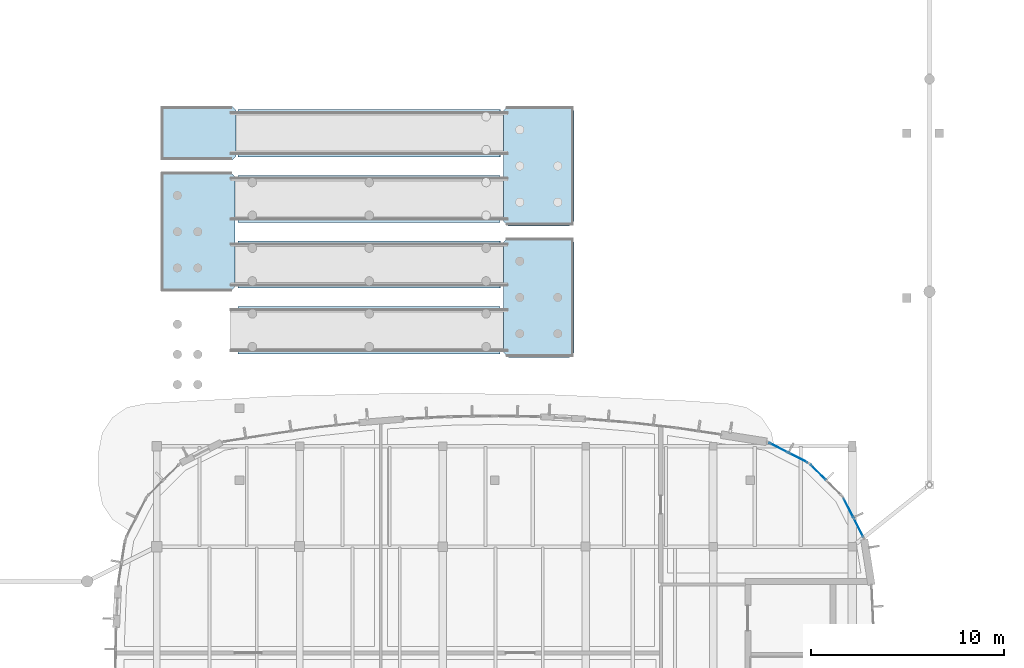
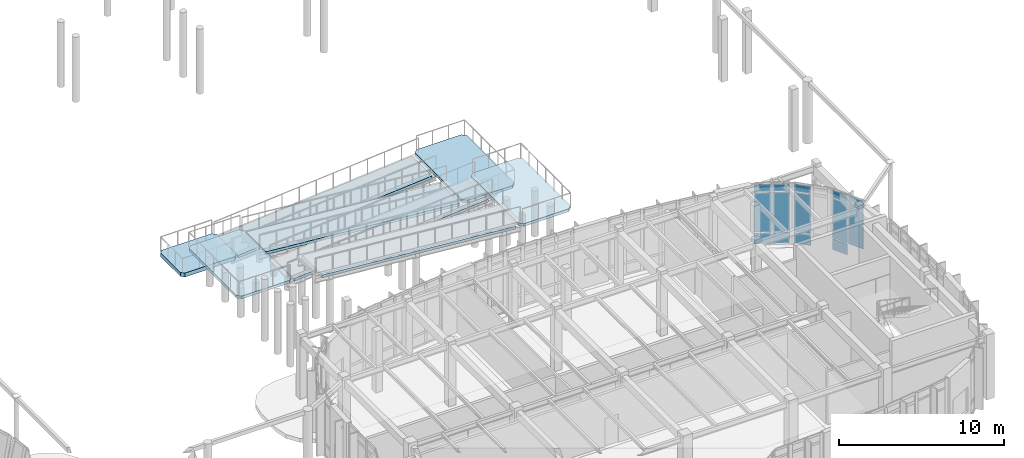
# One storey, part 73 of 120: 14 plates, 8 slabs, 3 elements without a shape of their own.
"""IFC4 building model written with IfcOpenShell, lengths in metres."""

from ifc_helpers import new_model, si_unit, direction, frame, origin, origin_2d, place, context, subcontext, project, spatial, polyline, rectangle, outline, extrude, material, layer, layer_set, type_object, element, aggregate, save


model = new_model("IFC4")

# Units and contexts
model_context = context("Model", 3, precision=1e-05, world=origin(), true_north=direction((0.0, 1.0)))
body_context = subcontext(model_context, "Body", "Model", "MODEL_VIEW")
ifc_project = project(units=[si_unit("LENGTHUNIT", "METRE"), si_unit("AREAUNIT", "SQUARE_METRE"), si_unit("VOLUMEUNIT", "CUBIC_METRE"), si_unit("PLANEANGLEUNIT", "RADIAN"), si_unit("MASSUNIT", "GRAM", prefix="KILO")], contexts=[model_context])

# Site, building, storey
site_placement = place(None, origin())
site = spatial("IfcSite", under=ifc_project, at=site_placement, CompositionType="ELEMENT")
building_placement = place(site_placement, origin())
building = spatial("IfcBuilding", under=site, at=building_placement, Name="Corveleigh Park Community Centre", CompositionType="ELEMENT")
storey_placement = place(building_placement, origin())
storey = spatial("IfcBuildingStorey", under=building, at=storey_placement, Name="L00", CompositionType="ELEMENT", Elevation=0.0)

# Curtain wall, plates
ifc_material_1 = material(Name="Anodised aluminium 6063-T6", Category="aluminium")
curtain_wall_type = type_object("IfcCurtainWallType", Name="CW-SYS-V3-L00", PredefinedType="NOTDEFINED", material=ifc_material_1)
curtain_wall_1_placement = place(storey_placement, origin())
curtain_wall_1 = element("IfcCurtainWall", 1, at=curtain_wall_1_placement, inside=storey, type_object=curtain_wall_type, Name="V3 L00 Curtain Wall 88", PredefinedType="NOTDEFINED")
ifc_material_2 = material(Name="Low-E double glazing", Category="glass")
ifc_layer_1 = layer(ifc_material_2, 0.028076171875, Name="Low-E double glazing", Category="glass")
ifc_layer_set_1 = layer_set([ifc_layer_1], Name="Low-E double glazing")
plate_type_1 = type_object("IfcPlateType", Name="CWP-GLZ-28", PredefinedType="CURTAIN_PANEL", material=ifc_layer_set_1)
plate_1_placement = place(storey_placement, frame((107.803955078125, 28.8076171875, 0.070068359375), z_axis=(0.0, 0.0, 1.0), x_axis=(0.45413480079, -0.890932984411, 0.0)))
plate_1 = element("IfcPlate", 2, at=plate_1_placement, type_object=plate_type_1, Name="CW05 panel 1.1", PredefinedType="CURTAIN_PANEL", context=body_context, shape_type="SweptSolid", body=[
    extrude(rectangle(XDim=1.070068359375, YDim=0.028076171875, at=origin_2d()), origin(), (0.0, 0.0, 1.0), 0.794921875),
])
plate_2_placement = place(storey_placement, frame((107.803955078125, 28.8076171875, 0.93505859375), z_axis=(0.0, 0.0, 1.0), x_axis=(0.45413480079, -0.890932984411, 0.0)))
plate_2 = element("IfcPlate", 3, at=plate_2_placement, type_object=plate_type_1, Name="CW05 panel 1.2", PredefinedType="CURTAIN_PANEL", context=body_context, shape_type="SweptSolid", body=[
    extrude(rectangle(XDim=1.070068359375, YDim=0.028076171875, at=origin_2d()), origin(), (0.0, 0.0, 1.0), 2.9169921875),
])
plate_3_placement = place(storey_placement, frame((107.803955078125, 28.8076171875, 3.922119140625), z_axis=(0.0, 0.0, 1.0), x_axis=(0.45413480079, -0.890932984411, 0.0)))
plate_3 = element("IfcPlate", 4, at=plate_3_placement, type_object=plate_type_1, Name="CW05 panel 1.3", PredefinedType="CURTAIN_PANEL", context=body_context, shape_type="SweptSolid", body=[
    extrude(rectangle(XDim=1.070068359375, YDim=0.028076171875, at=origin_2d()), origin(), (0.0, 0.0, 1.0), 0.544921875),
])
plate_4_placement = place(storey_placement, frame((108.323974609375, 27.787353515625, 0.93505859375), z_axis=(0.0, 0.0, 1.0), x_axis=(0.45413480079, -0.890932984411, 0.0)))
plate_4 = element("IfcPlate", 5, at=plate_4_placement, type_object=plate_type_1, Name="CW05 panel 2.2", PredefinedType="CURTAIN_PANEL", context=body_context, shape_type="SweptSolid", body=[
    extrude(rectangle(XDim=1.070068359375, YDim=0.028076171875, at=origin_2d()), origin(), (0.0, 0.0, 1.0), 2.9169921875),
])
plate_5_placement = place(storey_placement, frame((108.323974609375, 27.787353515625, 3.922119140625), z_axis=(0.0, 0.0, 1.0), x_axis=(0.45413480079, -0.890932984411, 0.0)))
plate_5 = element("IfcPlate", 6, at=plate_5_placement, type_object=plate_type_1, Name="CW05 panel 2.3", PredefinedType="CURTAIN_PANEL", context=body_context, shape_type="SweptSolid", body=[
    extrude(rectangle(XDim=1.070068359375, YDim=0.028076171875, at=origin_2d()), origin(), (0.0, 0.0, 1.0), 0.544921875),
])
aggregate(curtain_wall_1, [plate_1, plate_2, plate_3, plate_4, plate_5])

curtain_wall_2_placement = place(storey_placement, origin())
curtain_wall_2 = element("IfcCurtainWall", 7, at=curtain_wall_2_placement, inside=storey, type_object=curtain_wall_type, Name="V3 L00 Curtain Wall 89", PredefinedType="NOTDEFINED")
ifc_layer_2 = layer(ifc_material_2, 0.031982421875, Name="Low-E double glazing", Category="glass")
ifc_layer_set_2 = layer_set([ifc_layer_2], Name="Low-E double glazing")
plate_type_2 = type_object("IfcPlateType", Name="CWP-GLZ-32", PredefinedType="CURTAIN_PANEL", material=ifc_layer_set_2)
plate_6_placement = place(storey_placement, frame((106.243896484375, 30.651123046875, 0.074951171875), z_axis=(0.0, 0.0, 1.0), x_axis=(0.707106781187, -0.707106781187, 0.0)))
plate_6 = element("IfcPlate", 8, at=plate_6_placement, type_object=plate_type_2, Name="CW05 panel 1.1", PredefinedType="CURTAIN_PANEL", context=body_context, shape_type="SweptSolid", body=[
    extrude(rectangle(XDim=1.0615234375, YDim=0.031982421875, at=origin_2d()), origin(), (0.0, 0.0, 1.0), 0.78759765625),
])
plate_7_placement = place(storey_placement, frame((106.243896484375, 30.651123046875, 0.9375), z_axis=(0.0, 0.0, 1.0), x_axis=(0.707106781187, -0.707106781187, 0.0)))
plate_7 = element("IfcPlate", 9, at=plate_7_placement, type_object=plate_type_2, Name="CW05 panel 1.2", PredefinedType="CURTAIN_PANEL", context=body_context, shape_type="SweptSolid", body=[
    extrude(rectangle(XDim=1.0615234375, YDim=0.031982421875, at=origin_2d()), origin(), (0.0, 0.0, 1.0), 2.912109375),
])
plate_8_placement = place(storey_placement, frame((106.243896484375, 30.651123046875, 3.924560546875), z_axis=(0.0, 0.0, 1.0), x_axis=(0.707106781187, -0.707106781187, 0.0)))
plate_8 = element("IfcPlate", 10, at=plate_8_placement, type_object=plate_type_2, Name="CW05 panel 1.3", PredefinedType="CURTAIN_PANEL", context=body_context, shape_type="SweptSolid", body=[
    extrude(rectangle(XDim=1.0615234375, YDim=0.031982421875, at=origin_2d()), origin(), (0.0, 0.0, 1.0), 0.53759765625),
])
aggregate(curtain_wall_2, [plate_6, plate_7, plate_8])

curtain_wall_3_placement = place(storey_placement, origin())
curtain_wall_3 = element("IfcCurtainWall", 11, at=curtain_wall_3_placement, inside=storey, type_object=curtain_wall_type, Name="V3 L00 Curtain Wall 90", PredefinedType="NOTDEFINED")
plate_9_placement = place(storey_placement, frame((104.189697265625, 31.9228515625, 0.080078125), z_axis=(0.0, 0.0, 1.0), x_axis=(0.890932984411, -0.45413480079, 0.0)))
plate_9 = element("IfcPlate", 12, at=plate_9_placement, type_object=plate_type_2, Name="CW05 panel 1.1", PredefinedType="CURTAIN_PANEL", context=body_context, shape_type="SweptSolid", body=[
    extrude(rectangle(XDim=1.054931640625, YDim=0.031982421875, at=origin_2d()), origin(), (0.0, 0.0, 1.0), 0.780029296875),
])
plate_10_placement = place(storey_placement, frame((104.189697265625, 31.9228515625, 0.93994140625), z_axis=(0.0, 0.0, 1.0), x_axis=(0.890932984411, -0.45413480079, 0.0)))
plate_10 = element("IfcPlate", 13, at=plate_10_placement, type_object=plate_type_2, Name="CW05 panel 1.2", PredefinedType="CURTAIN_PANEL", context=body_context, shape_type="SweptSolid", body=[
    extrude(rectangle(XDim=1.054931640625, YDim=0.031982421875, at=origin_2d()), origin(), (0.0, 0.0, 1.0), 2.906982421875),
])
plate_11_placement = place(storey_placement, frame((104.189697265625, 31.9228515625, 3.9267578125), z_axis=(0.0, 0.0, 1.0), x_axis=(0.890932984411, -0.45413480079, 0.0)))
plate_11 = element("IfcPlate", 14, at=plate_11_placement, type_object=plate_type_2, Name="CW05 panel 1.3", PredefinedType="CURTAIN_PANEL", context=body_context, shape_type="SweptSolid", body=[
    extrude(rectangle(XDim=1.054931640625, YDim=0.031982421875, at=origin_2d()), origin(), (0.0, 0.0, 1.0), 0.530029296875),
])
plate_12_placement = place(storey_placement, frame((105.205322265625, 31.405029296875, 0.080078125), z_axis=(0.0, 0.0, 1.0), x_axis=(0.890932984411, -0.45413480079, 0.0)))
plate_12 = element("IfcPlate", 15, at=plate_12_placement, type_object=plate_type_2, Name="CW05 panel 2.1", PredefinedType="CURTAIN_PANEL", context=body_context, shape_type="SweptSolid", body=[
    extrude(rectangle(XDim=1.054931640625, YDim=0.031982421875, at=origin_2d()), origin(), (0.0, 0.0, 1.0), 0.780029296875),
])
plate_13_placement = place(storey_placement, frame((105.205322265625, 31.405029296875, 0.93994140625), z_axis=(0.0, 0.0, 1.0), x_axis=(0.890932984411, -0.45413480079, 0.0)))
plate_13 = element("IfcPlate", 16, at=plate_13_placement, type_object=plate_type_2, Name="CW05 panel 2.2", PredefinedType="CURTAIN_PANEL", context=body_context, shape_type="SweptSolid", body=[
    extrude(rectangle(XDim=1.054931640625, YDim=0.031982421875, at=origin_2d()), origin(), (0.0, 0.0, 1.0), 2.906982421875),
])
plate_14_placement = place(storey_placement, frame((105.205322265625, 31.405029296875, 3.9267578125), z_axis=(0.0, 0.0, 1.0), x_axis=(0.890932984411, -0.45413480079, 0.0)))
plate_14 = element("IfcPlate", 17, at=plate_14_placement, type_object=plate_type_2, Name="CW05 panel 2.3", PredefinedType="CURTAIN_PANEL", context=body_context, shape_type="SweptSolid", body=[
    extrude(rectangle(XDim=1.054931640625, YDim=0.031982421875, at=origin_2d()), origin(), (0.0, 0.0, 1.0), 0.530029296875),
])
aggregate(curtain_wall_3, [plate_9, plate_10, plate_11, plate_12, plate_13, plate_14])

# Slabs
ifc_material_3 = material(Name="Concrete C32/40", Category="concrete")
ifc_layer_3 = layer(ifc_material_3, 0.2900390625, Name="Concrete C32/40", Category="concrete")
ifc_layer_set_3 = layer_set([ifc_layer_3], Name="Concrete C32/40")
slab_type_1 = type_object("IfcSlabType", Name="SLB-APR-290", PredefinedType="FLOOR", material=ifc_layer_set_3)
slab_1_placement = place(storey_placement, frame((0.0, 0.0, -0.2900390625)))
element("IfcSlab", 18, at=slab_1_placement, inside=storey, type_object=slab_type_1, Name="Promenade Ramp Ground Start Pad", PredefinedType="FLOOR", context=body_context, shape_type="SweptSolid", body=[
    extrude(outline(polyline([(72.199951171875, 47.0), (72.199951171875, 49.39990234375), (72.39990234375, 49.60009765625), (75.89990234375, 49.60009765625), (76.10009765625, 49.39990234375), (76.10009765625, 47.0), (75.89990234375, 46.800048828125), (72.39990234375, 46.800048828125), (72.199951171875, 47.0)])), origin(), (0.0, 0.0, 1.0), 0.2900390625),
])
ifc_layer_4 = layer(ifc_material_3, 0.2041015625, Name="Concrete C32/40", Category="concrete")
ifc_layer_set_4 = layer_set([ifc_layer_4], Name="Concrete C32/40")
slab_type_2 = type_object("IfcSlabType", Name="SLB-LND-204", PredefinedType="LANDING", material=ifc_layer_set_4)
slab_2_placement = place(storey_placement, frame((0.0, 0.0, 0.99609375)))
element("IfcSlab", 19, at=slab_2_placement, inside=storey, type_object=slab_type_2, Name="Courtyard Promenade Ramp Turn Landing 1", PredefinedType="LANDING", context=body_context, shape_type="SweptSolid", body=[
    extrude(outline(polyline([(90.199951171875, 43.39990234375), (93.35009765625, 43.39990234375), (93.60009765625, 43.64990234375), (93.60009765625, 49.35009765625), (93.35009765625, 49.60009765625), (90.199951171875, 49.60009765625), (89.949951171875, 49.35009765625), (89.949951171875, 43.64990234375), (90.199951171875, 43.39990234375)])), origin(), (0.0, 0.0, 1.0), 0.203857421875),
])
slab_3_placement = place(storey_placement, frame((0.0, 0.0, 2.196044921875)))
element("IfcSlab", 20, at=slab_3_placement, inside=storey, type_object=slab_type_2, Name="Courtyard Promenade Ramp Turn Landing 2", PredefinedType="LANDING", context=body_context, shape_type="SweptSolid", body=[
    extrude(outline(polyline([(72.449951171875, 40.0), (75.800048828125, 40.0), (76.050048828125, 40.25), (76.050048828125, 45.949951171875), (75.800048828125, 46.199951171875), (72.449951171875, 46.199951171875), (72.199951171875, 45.949951171875), (72.199951171875, 40.25), (72.449951171875, 40.0)])), origin(), (0.0, 0.0, 1.0), 0.203857421875),
])
slab_4_placement = place(storey_placement, frame((0.0, 0.0, 3.39599609375)))
element("IfcSlab", 21, at=slab_4_placement, inside=storey, type_object=slab_type_2, Name="Courtyard Promenade Ramp Turn Landing 3", PredefinedType="LANDING", context=body_context, shape_type="SweptSolid", body=[
    extrude(outline(polyline([(90.199951171875, 36.60009765625), (93.35009765625, 36.60009765625), (93.60009765625, 36.85009765625), (93.60009765625, 42.550048828125), (93.35009765625, 42.800048828125), (90.199951171875, 42.800048828125), (89.949951171875, 42.550048828125), (89.949951171875, 36.85009765625), (90.199951171875, 36.60009765625)])), origin(), (0.0, 0.0, 1.0), 0.2041015625),
])
for number, where, z_axis, x_axis, name in (
    (22, (76.219970703125, 46.97998046875, -0.14501953125), (-0.083054389075, 0.0, 0.99654501577), (0.99654501577, 0.0, 0.083054389075), "Promenade RM7 Structural Subbase"),
    (23, (89.780029296875, 46.02001953125, 1.054931640625), (0.083054389075, 0.0, 0.99654501577), (-0.99654501577, 0.0, 0.083054389075), "Promenade RM8 Structural Subbase"),
):
    element("IfcSlab", number, at=place(storey_placement, frame(where, z_axis=z_axis, x_axis=x_axis)), inside=storey, type_object=slab_type_2, Name=name, PredefinedType="LANDING", context=body_context, shape_type="SweptSolid", body=[
        extrude(outline(polyline([(0.0, 0.0), (13.607070808815276, 0.0), (13.607070808815276, 2.43994140625), (0.0, 2.43994140625), (0.0, 0.0)])), origin(), (0.0, 0.0, -1.0), 0.2041015625),
    ])
slab_5_placement = place(storey_placement, frame((76.219970703125, 40.179931640625, 2.2548828125), z_axis=(-0.083054389075, 0.0, 0.99654501577), x_axis=(0.99654501577, 0.0, 0.083054389075)))
element("IfcSlab", 24, at=slab_5_placement, inside=storey, type_object=slab_type_2, Name="Promenade RM9 Structural Subbase", PredefinedType="LANDING", context=body_context, shape_type="SweptSolid", body=[
    extrude(outline(polyline([(0.0, 0.0), (13.607070808815276, 0.0), (13.607070808815276, 2.440185546875), (0.0, 2.440185546875), (0.0, 0.0)])), origin(), (0.0, 0.0, -1.0), 0.2041015625),
])
slab_6_placement = place(storey_placement, frame((89.780029296875, 39.219970703125, 3.455078125), z_axis=(0.083036570613, 0.0, 0.996546500642), x_axis=(-0.996546500642, 0.0, 0.083036570613)))
element("IfcSlab", 25, at=slab_6_placement, inside=storey, type_object=slab_type_2, Name="Promenade RM10 Structural Subbase", PredefinedType="LANDING", context=body_context, shape_type="SweptSolid", body=[
    extrude(outline(polyline([(0.0, 0.0), (13.607050534039923, 0.0), (13.607050534039923, 2.4399414062500004), (0.0, 2.4399414062500004), (0.0, 0.0)])), origin(), (0.0, 0.0, -1.0), 0.2041015625),
])

save(model, "model.ifc")
